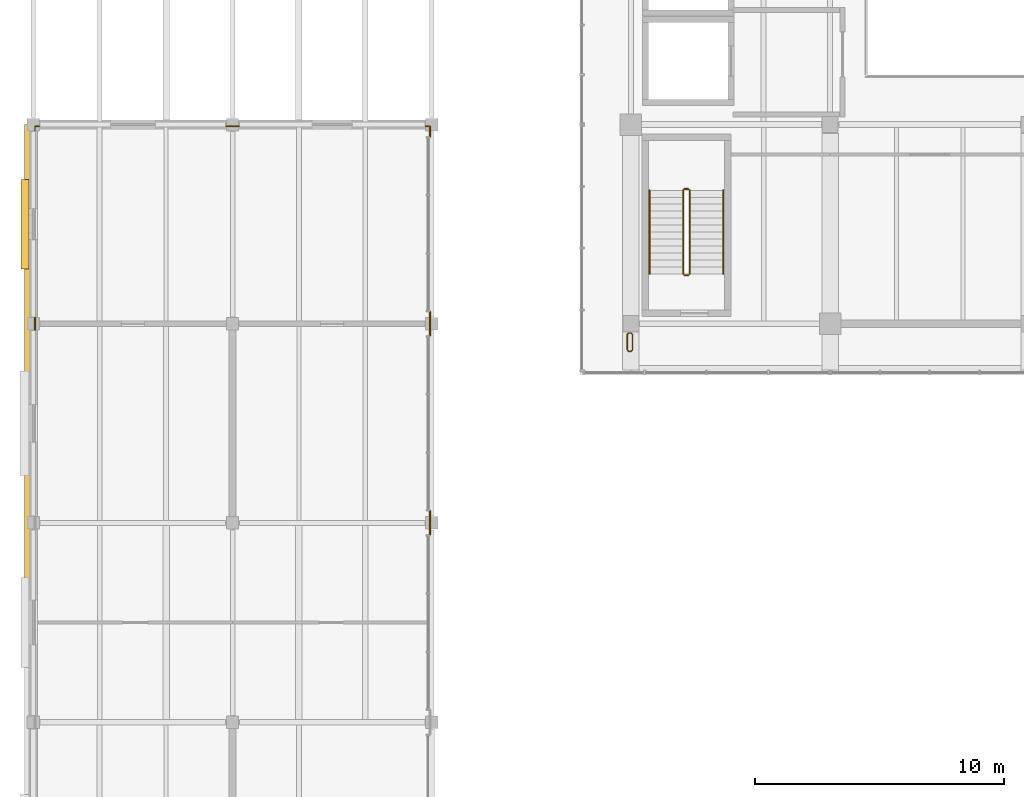
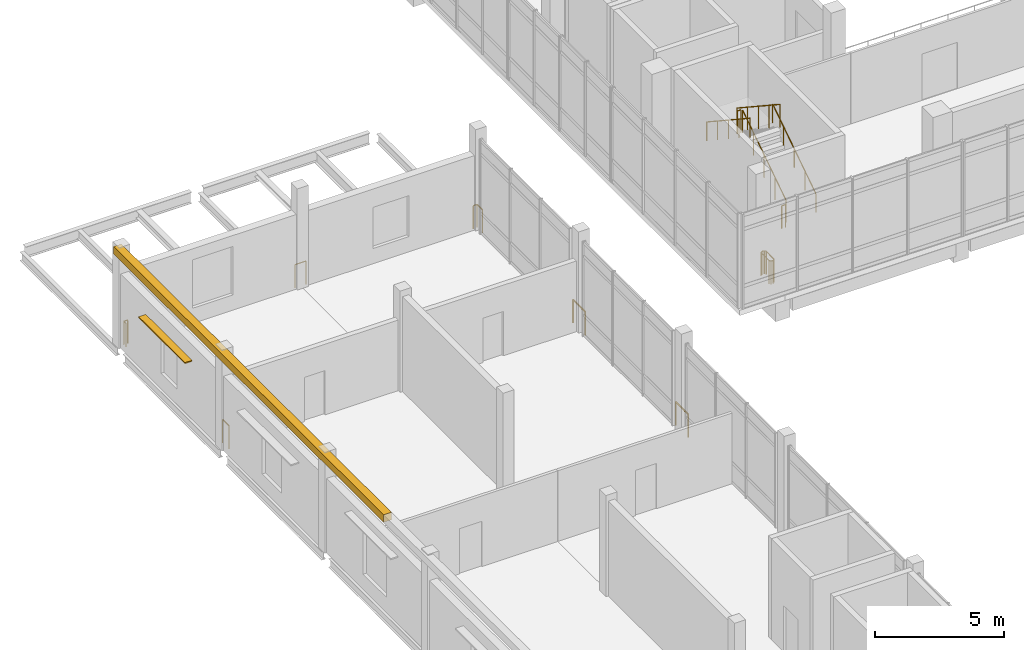
# One storey, part 24 of 28: 13 railings, 1 covering, 1 shading device.
"""IFC4 building model written with IfcOpenShell, lengths in metres."""

from ifc_helpers import new_model, si_unit, direction, frame, origin, origin_2d, place, context, subcontext, project, spatial, polyline, rectangle, circle, outline, extrude, material, layer, layer_set, type_object, element, save


model = new_model("IFC4")

# Units and contexts
model_context = context("Model", 3, precision=1e-05, world=origin(), true_north=direction((0.0, 1.0)))
body_context = subcontext(model_context, "Body", "Model", "MODEL_VIEW")
ifc_project = project(units=[si_unit("LENGTHUNIT", "METRE"), si_unit("AREAUNIT", "SQUARE_METRE"), si_unit("VOLUMEUNIT", "CUBIC_METRE"), si_unit("PLANEANGLEUNIT", "RADIAN"), si_unit("MASSUNIT", "GRAM", prefix="KILO")], contexts=[model_context])

# Site, building, storey
site_placement = place(None, origin())
site = spatial("IfcSite", under=ifc_project, at=site_placement, CompositionType="ELEMENT")
building_placement = place(site_placement, origin())
building = spatial("IfcBuilding", under=site, at=building_placement, Name="Pecanmere Concourse Central Library", CompositionType="ELEMENT")
storey_placement = place(building_placement, frame((0.0, 0.0, 20.10009765625)))
storey = spatial("IfcBuildingStorey", under=building, at=storey_placement, Name="L05", CompositionType="ELEMENT", Elevation=20.10009765625)

# Covering
ifc_material_1 = material(Name="Texas cream limestone ashlar masonry", Category="masonry")
ifc_layer = layer(ifc_material_1, 0.06005859375, Name="COV_CLAD_CORNICE")
ifc_layer_set = layer_set([ifc_layer], Name="Texas cream limestone ashlar masonry")
covering_type = type_object("IfcCoveringType", Name="COV_CLAD_CORNICE", PredefinedType="CLADDING", material=ifc_layer_set)
covering_placement = place(storey_placement, frame((0.0, 0.0, 4.39990234375)))
element("IfcCovering", 1, at=covering_placement, inside=storey, type_object=covering_type, Name="Classical Entablature Cornice 08", PredefinedType="CLADDING", context=body_context, shape_type="SweptSolid", body=[
    extrude(outline(polyline([(47.64990234375, 77.0), (48.0, 77.0), (48.0, 98.0), (47.64990234375, 98.0), (47.64990234375, 77.0)])), origin(), (0.0, 0.0, 1.0), 0.35009765625),
])

# Railings
ifc_material_2 = material(Name="Architectural anodized bronze")
railing_type_1 = type_object("IfcRailingType", Name="RAIL_ATRIUM_BAL", PredefinedType="BALUSTRADE", material=ifc_material_2)
railing_1_placement = place(storey_placement, frame((71.996826171875, 88.888916015625, 0.0)))
element("IfcRailing", 2, at=railing_1_placement, inside=storey, type_object=railing_type_1, Name="Deck Edge Protective Balustrade L05-213", PredefinedType="BALUSTRADE", context=body_context, shape_type="SweptSolid", body=[
    extrude(circle(Radius=0.02392578125, at=origin_2d()), frame((0.0, 0.0, 1.09619140625), z_axis=(0.806311430369, 0.591491231767, 0.0), x_axis=(-0.591491231767, 0.806311430369, 0.0)), (0.0, 0.0, 1.0), 0.0830078125),
    extrude(circle(Radius=0.02392578125, at=origin_2d()), frame((0.06689453125, 0.049072265625, 1.09619140625), z_axis=(0.009489489668, 0.999954973779, 0.0), x_axis=(-0.999954973779, 0.009489489668, 0.0)), (0.0, 0.0, 1.0), 0.617431640625),
    extrude(circle(Radius=0.02392578125, at=origin_2d()), frame((0.07275390625, 0.66650390625, 1.09619140625), z_axis=(-0.591491231767, 0.806311430369, 0.0), x_axis=(-0.806311430369, -0.591491231767, 0.0)), (0.0, 0.0, 1.0), 0.0830078125),
    extrude(circle(Radius=0.02392578125, at=origin_2d()), frame((0.023681640625, 0.7333984375, 1.09619140625), z_axis=(-0.998195860289, 0.060041856258, 0.0), x_axis=(-0.060041856258, -0.998195860289, 0.0)), (0.0, 0.0, 1.0), 0.09765625),
    extrude(circle(Radius=0.02392578125, at=origin_2d()), frame((-0.07373046875, 0.7392578125, 1.09619140625), z_axis=(-0.806311430369, -0.591491231767, 0.0), x_axis=(0.591491231767, -0.806311430369, 0.0)), (0.0, 0.0, 1.0), 0.0830078125),
    extrude(circle(Radius=0.02392578125, at=origin_2d()), frame((-0.140625, 0.690185546875, 1.09619140625), z_axis=(-0.009489489668, -0.999954973779, 0.0), x_axis=(0.999954973779, -0.009489489668, 0.0)), (0.0, 0.0, 1.0), 0.617431640625),
    extrude(circle(Radius=0.02392578125, at=origin_2d()), frame((-0.146484375, 0.07275390625, 1.09619140625), z_axis=(0.591491231767, -0.806311430369, 0.0), x_axis=(0.806311430369, 0.591491231767, 0.0)), (0.0, 0.0, 1.0), 0.0830078125),
    extrude(circle(Radius=0.02392578125, at=origin_2d()), frame((-0.097412109375, 0.005859375, 1.09619140625), z_axis=(0.998195860289, -0.060041856258, 0.0), x_axis=(0.060041856258, 0.998195860289, 0.0)), (0.0, 0.0, 1.0), 0.09765625),
    extrude(circle(Radius=0.02099609375, at=origin_2d()), origin(), (0.0, 0.0, 1.0), 1.072021484375),
    extrude(circle(Radius=0.02099609375, at=origin_2d()), frame((0.06689453125, 0.049072265625, 0.0)), (0.0, 0.0, 1.0), 1.072021484375),
    extrude(circle(Radius=0.02099609375, at=origin_2d()), frame((0.07275390625, 0.66650390625, 0.0)), (0.0, 0.0, 1.0), 1.072021484375),
    extrude(circle(Radius=0.02099609375, at=origin_2d()), frame((0.023681640625, 0.7333984375, 0.0)), (0.0, 0.0, 1.0), 1.072021484375),
    extrude(circle(Radius=0.02099609375, at=origin_2d()), frame((-0.07373046875, 0.7392578125, 0.0)), (0.0, 0.0, 1.0), 1.072021484375),
    extrude(circle(Radius=0.02099609375, at=origin_2d()), frame((-0.140625, 0.690185546875, 0.0)), (0.0, 0.0, 1.0), 1.072021484375),
    extrude(circle(Radius=0.02099609375, at=origin_2d()), frame((-0.146484375, 0.07275390625, 0.0)), (0.0, 0.0, 1.0), 1.072021484375),
    extrude(circle(Radius=0.02099609375, at=origin_2d()), frame((-0.097412109375, 0.005859375, 0.0)), (0.0, 0.0, 1.0), 1.072021484375),
])
railing_2_placement = place(storey_placement, frame((48.070068359375, 89.7548828125, 0.0)))
element("IfcRailing", 3, at=railing_2_placement, inside=storey, type_object=railing_type_1, Name="Deck Edge Protective Balustrade L05-218", PredefinedType="BALUSTRADE", context=body_context, shape_type="SweptSolid", body=[
    extrude(circle(Radius=0.02392578125, at=origin_2d()), frame((0.0, 0.0, 1.09619140625), z_axis=(0.0, 1.0, 0.0), x_axis=(-1.0, 0.0, 0.0)), (0.0, 0.0, 1.0), 0.490234375),
    extrude(circle(Radius=0.02099609375, at=origin_2d()), origin(), (0.0, 0.0, 1.0), 1.072021484375),
    extrude(circle(Radius=0.02099609375, at=origin_2d()), frame((0.0, 0.490234375, 0.0)), (0.0, 0.0, 1.0), 1.072021484375),
])
railing_3_placement = place(storey_placement, frame((48.070068359375, 97.7548828125, 0.0)))
element("IfcRailing", 4, at=railing_3_placement, inside=storey, type_object=railing_type_1, Name="Deck Edge Protective Balustrade L05-219", PredefinedType="BALUSTRADE", context=body_context, shape_type="SweptSolid", body=[
    extrude(circle(Radius=0.02392578125, at=origin_2d()), frame((0.0, 0.0, 1.09619140625), z_axis=(0.0, 1.0, 0.0), x_axis=(-1.0, 0.0, 0.0)), (0.0, 0.0, 1.0), 0.1748046875),
    extrude(circle(Radius=0.02392578125, at=origin_2d()), frame((0.0, 0.1748046875, 1.09619140625), z_axis=(1.0, 0.0, 0.0), x_axis=(0.0, 1.0, 0.0)), (0.0, 0.0, 1.0), 0.175048828125),
    extrude(circle(Radius=0.02099609375, at=origin_2d()), origin(), (0.0, 0.0, 1.0), 1.072021484375),
    extrude(circle(Radius=0.02099609375, at=origin_2d()), frame((0.0, 0.1748046875, 0.0)), (0.0, 0.0, 1.0), 1.072021484375),
    extrude(circle(Radius=0.02099609375, at=origin_2d()), frame((0.175048828125, 0.1748046875, 0.0)), (0.0, 0.0, 1.0), 1.072021484375),
])
railing_4_placement = place(storey_placement, frame((55.7548828125, 97.929931640625, 0.0)))
element("IfcRailing", 5, at=railing_4_placement, inside=storey, type_object=railing_type_1, Name="Deck Edge Protective Balustrade L05-220", PredefinedType="BALUSTRADE", context=body_context, shape_type="SweptSolid", body=[
    extrude(circle(Radius=0.02392578125, at=origin_2d()), frame((0.0, 0.0, 1.09619140625), z_axis=(1.0, 0.0, 0.0), x_axis=(0.0, 1.0, 0.0)), (0.0, 0.0, 1.0), 0.490234375),
    extrude(circle(Radius=0.02099609375, at=origin_2d()), origin(), (0.0, 0.0, 1.0), 1.072021484375),
    extrude(circle(Radius=0.02099609375, at=origin_2d()), frame((0.490234375, 0.0, 0.0)), (0.0, 0.0, 1.0), 1.072021484375),
])
railing_5_placement = place(storey_placement, frame((63.7548828125, 97.929931640625, 0.0)))
element("IfcRailing", 6, at=railing_5_placement, inside=storey, type_object=railing_type_1, Name="Deck Edge Protective Balustrade L05-221", PredefinedType="BALUSTRADE", context=body_context, shape_type="SweptSolid", body=[
    extrude(circle(Radius=0.02392578125, at=origin_2d()), frame((0.0, 0.0, 1.09619140625), z_axis=(1.0, 0.0, 0.0), x_axis=(0.0, 1.0, 0.0)), (0.0, 0.0, 1.0), 0.1748046875),
    extrude(circle(Radius=0.02392578125, at=origin_2d()), frame((0.1748046875, 0.0, 1.09619140625), z_axis=(0.0, -1.0, 0.0), x_axis=(1.0, 0.0, 0.0)), (0.0, 0.0, 1.0), 0.409912109375),
    extrude(circle(Radius=0.02099609375, at=origin_2d()), origin(), (0.0, 0.0, 1.0), 1.072021484375),
    extrude(circle(Radius=0.02099609375, at=origin_2d()), frame((0.1748046875, 0.0, 0.0)), (0.0, 0.0, 1.0), 1.072021484375),
    extrude(circle(Radius=0.02099609375, at=origin_2d()), frame((0.1748046875, -0.409912109375, 0.0)), (0.0, 0.0, 1.0), 1.072021484375),
])
railing_6_placement = place(storey_placement, frame((63.9296875, 90.47998046875, 0.0)))
element("IfcRailing", 7, at=railing_6_placement, inside=storey, type_object=railing_type_1, Name="Deck Edge Protective Balustrade L05-222", PredefinedType="BALUSTRADE", context=body_context, shape_type="SweptSolid", body=[
    extrude(circle(Radius=0.02392578125, at=origin_2d()), frame((0.0, 0.0, 1.09619140625), z_axis=(0.0, -1.0, 0.0), x_axis=(1.0, 0.0, 0.0)), (0.0, 0.0, 1.0), 0.9599609375),
    extrude(circle(Radius=0.02099609375, at=origin_2d()), origin(), (0.0, 0.0, 1.0), 1.072021484375),
    extrude(circle(Radius=0.02099609375, at=origin_2d()), frame((0.0, -0.9599609375, 0.0)), (0.0, 0.0, 1.0), 1.072021484375),
])
railing_7_placement = place(storey_placement, frame((63.9296875, 82.47998046875, 0.0)))
element("IfcRailing", 8, at=railing_7_placement, inside=storey, type_object=railing_type_1, Name="Deck Edge Protective Balustrade L05-223", PredefinedType="BALUSTRADE", context=body_context, shape_type="SweptSolid", body=[
    extrude(circle(Radius=0.02392578125, at=origin_2d()), frame((0.0, 0.0, 1.09619140625), z_axis=(0.000254323491, -0.99999996766, 0.0), x_axis=(0.99999996766, 0.000254323491, 0.0)), (0.0, 0.0, 1.0), 0.9599609375),
    extrude(circle(Radius=0.02099609375, at=origin_2d()), origin(), (0.0, 0.0, 1.0), 1.072021484375),
    extrude(circle(Radius=0.02099609375, at=origin_2d()), frame((0.000244140625, -0.9599609375, 0.0)), (0.0, 0.0, 1.0), 1.072021484375),
])
ifc_material_3 = material(Name="Painted architectural steel ASTM A36", Category="steel")
railing_type_2 = type_object("IfcRailingType", Name="RAIL_STAIR_GUARD", PredefinedType="GUARDRAIL", material=ifc_material_3)
railing_8_placement = place(storey_placement, frame((74.360107421875, 92.0, 0.1845703125)))
element("IfcRailing", 9, at=railing_8_placement, inside=storey, type_object=railing_type_2, Name="L05 ST-01 Guard 1", PredefinedType="GUARDRAIL", context=body_context, shape_type="SweptSolid", body=[
    extrude(circle(Radius=0.02392578125, at=origin_2d()), frame((0.0, 0.0, 1.076171875), z_axis=(0.0, 0.834876476806, 0.550437342915), x_axis=(-1.0, 0.0, 0.0)), (0.0, 0.0, 1.0), 4.024658203125),
    extrude(circle(Radius=0.02099609375, at=origin_2d()), origin(), (0.0, 0.0, 1.0), 1.052001953125),
    extrude(circle(Radius=0.02099609375, at=origin_2d()), frame((0.0, 0.840087890625, 0.5537109375)), (0.0, 0.0, 1.0), 1.052001953125),
    extrude(circle(Radius=0.02099609375, at=origin_2d()), frame((0.0, 1.68017578125, 1.107666015625)), (0.0, 0.0, 1.0), 1.052001953125),
    extrude(circle(Radius=0.02099609375, at=origin_2d()), frame((0.0, 2.52001953125, 1.66162109375)), (0.0, 0.0, 1.0), 1.052001953125),
    extrude(circle(Radius=0.02099609375, at=origin_2d()), frame((0.0, 3.360107421875, 2.21533203125)), (0.0, 0.0, 1.0), 1.052001953125),
])
railing_9_placement = place(storey_placement, frame((74.31005859375, 95.409912109375, 2.39990234375)))
element("IfcRailing", 10, at=railing_9_placement, inside=storey, type_object=railing_type_2, Name="L05 ST-01 Guard 2", PredefinedType="GUARDRAIL", context=body_context, shape_type="SweptSolid", body=[
    extrude(circle(Radius=0.02392578125, at=origin_2d()), frame((0.0, 0.0, 1.076171875), z_axis=(-1.0, 0.0, 0.0), x_axis=(0.0, -1.0, 0.0)), (0.0, 0.0, 1.0), 0.16015625),
    extrude(circle(Radius=0.02099609375, at=origin_2d()), origin(), (0.0, 0.0, 1.0), 1.052001953125),
    extrude(circle(Radius=0.02099609375, at=origin_2d()), frame((-0.16015625, 0.0, 0.0)), (0.0, 0.0, 1.0), 1.052001953125),
])
railing_10_placement = place(storey_placement, frame((74.10009765625, 95.360107421875, 2.58447265625)))
element("IfcRailing", 11, at=railing_10_placement, inside=storey, type_object=railing_type_2, Name="L05 ST-01 Guard 3", PredefinedType="GUARDRAIL", context=body_context, shape_type="SweptSolid", body=[
    extrude(circle(Radius=0.02392578125, at=origin_2d()), frame((0.0, 0.0, 1.076171875), z_axis=(0.0, -0.834876476806, 0.550437342915), x_axis=(1.0, 0.0, 0.0)), (0.0, 0.0, 1.0), 4.024658203125),
    extrude(circle(Radius=0.02099609375, at=origin_2d()), origin(), (0.0, 0.0, 1.0), 1.052001953125),
    extrude(circle(Radius=0.02099609375, at=origin_2d()), frame((0.0, -0.840087890625, 0.5537109375)), (0.0, 0.0, 1.0), 1.052001953125),
    extrude(circle(Radius=0.02099609375, at=origin_2d()), frame((0.0, -1.68017578125, 1.107666015625)), (0.0, 0.0, 1.0), 1.052001953125),
    extrude(circle(Radius=0.02099609375, at=origin_2d()), frame((0.0, -2.52001953125, 1.66162109375)), (0.0, 0.0, 1.0), 1.052001953125),
    extrude(circle(Radius=0.02099609375, at=origin_2d()), frame((0.0, -3.360107421875, 2.21533203125)), (0.0, 0.0, 1.0), 1.052001953125),
])
railing_11_placement = place(storey_placement, frame((74.31005859375, 91.949951171875, 0.0)))
element("IfcRailing", 12, at=railing_11_placement, inside=storey, type_object=railing_type_2, Name="L05 ST-01 Guard 4", PredefinedType="GUARDRAIL", context=body_context, shape_type="SweptSolid", body=[
    extrude(circle(Radius=0.02392578125, at=origin_2d()), frame((0.0, 0.0, 1.076171875), z_axis=(-1.0, 0.0, 0.0), x_axis=(0.0, -1.0, 0.0)), (0.0, 0.0, 1.0), 0.16015625),
    extrude(circle(Radius=0.02099609375, at=origin_2d()), origin(), (0.0, 0.0, 1.0), 1.052001953125),
    extrude(circle(Radius=0.02099609375, at=origin_2d()), frame((-0.16015625, 0.0, 0.0)), (0.0, 0.0, 1.0), 1.052001953125),
])
ifc_material_4 = material(Name="Brushed stainless steel Grade 316", Category="steel")
railing_type_3 = type_object("IfcRailingType", Name="RAIL_STAIR_HR", PredefinedType="HANDRAIL", material=ifc_material_4)
railing_12_placement = place(storey_placement, frame((75.7099609375, 92.0, 0.1845703125)))
element("IfcRailing", 13, at=railing_12_placement, inside=storey, type_object=railing_type_3, Name="L05 ST-01 Handrail 1", PredefinedType="HANDRAIL", context=body_context, shape_type="SweptSolid", body=[
    extrude(circle(Radius=0.02392578125, at=origin_2d()), frame((0.0, 0.0, 0.89111328125), z_axis=(0.0, 0.834876476806, 0.550437342915), x_axis=(-1.0, 0.0, 0.0)), (0.0, 0.0, 1.0), 4.024658203125),
    extrude(circle(Radius=0.02099609375, at=origin_2d()), origin(), (0.0, 0.0, 1.0), 0.866943359375),
    extrude(circle(Radius=0.02099609375, at=origin_2d()), frame((0.0, 0.840087890625, 0.5537109375)), (0.0, 0.0, 1.0), 0.866943359375),
    extrude(circle(Radius=0.02099609375, at=origin_2d()), frame((0.0, 1.68017578125, 1.107666015625)), (0.0, 0.0, 1.0), 0.866943359375),
    extrude(circle(Radius=0.02099609375, at=origin_2d()), frame((0.0, 2.52001953125, 1.66162109375)), (0.0, 0.0, 1.0), 0.866943359375),
    extrude(circle(Radius=0.02099609375, at=origin_2d()), frame((0.0, 3.360107421875, 2.21533203125)), (0.0, 0.0, 1.0), 0.866943359375),
])
railing_13_placement = place(storey_placement, frame((72.75, 95.360107421875, 2.58447265625)))
element("IfcRailing", 14, at=railing_13_placement, inside=storey, type_object=railing_type_3, Name="L05 ST-01 Handrail 2", PredefinedType="HANDRAIL", context=body_context, shape_type="SweptSolid", body=[
    extrude(circle(Radius=0.02392578125, at=origin_2d()), frame((0.0, 0.0, 0.89111328125), z_axis=(0.0, -0.834876476806, 0.550437342915), x_axis=(1.0, 0.0, 0.0)), (0.0, 0.0, 1.0), 4.024658203125),
    extrude(circle(Radius=0.02099609375, at=origin_2d()), origin(), (0.0, 0.0, 1.0), 0.866943359375),
    extrude(circle(Radius=0.02099609375, at=origin_2d()), frame((0.0, -0.840087890625, 0.5537109375)), (0.0, 0.0, 1.0), 0.866943359375),
    extrude(circle(Radius=0.02099609375, at=origin_2d()), frame((0.0, -1.68017578125, 1.107666015625)), (0.0, 0.0, 1.0), 0.866943359375),
    extrude(circle(Radius=0.02099609375, at=origin_2d()), frame((0.0, -2.52001953125, 1.66162109375)), (0.0, 0.0, 1.0), 0.866943359375),
    extrude(circle(Radius=0.02099609375, at=origin_2d()), frame((0.0, -3.360107421875, 2.21533203125)), (0.0, 0.0, 1.0), 0.866943359375),
])

# Shading device
ifc_material_5 = material(Name="Architectural anodized bronze")
shading_device_type = type_object("IfcShadingDeviceType", Name="SHD_BRISE_2", PredefinedType="AWNING", material=ifc_material_5)
shading_device_placement = place(storey_placement, frame((47.6650390625, 94.0, 2.75244140625), z_axis=(0.0, 0.0, 1.0), x_axis=(0.0, -1.0, 0.0)))
element("IfcShadingDevice", 15, at=shading_device_placement, inside=storey, type_object=shading_device_type, Name="Bronze Solar Brise-Soleil L05-069", PredefinedType="AWNING", context=body_context, shape_type="SweptSolid", body=[
    extrude(rectangle(XDim=3.60009765625, YDim=0.320068359375, at=origin_2d()), origin(), (0.0, 0.0, 1.0), 0.054931640625),
])

save(model, "model.ifc")
